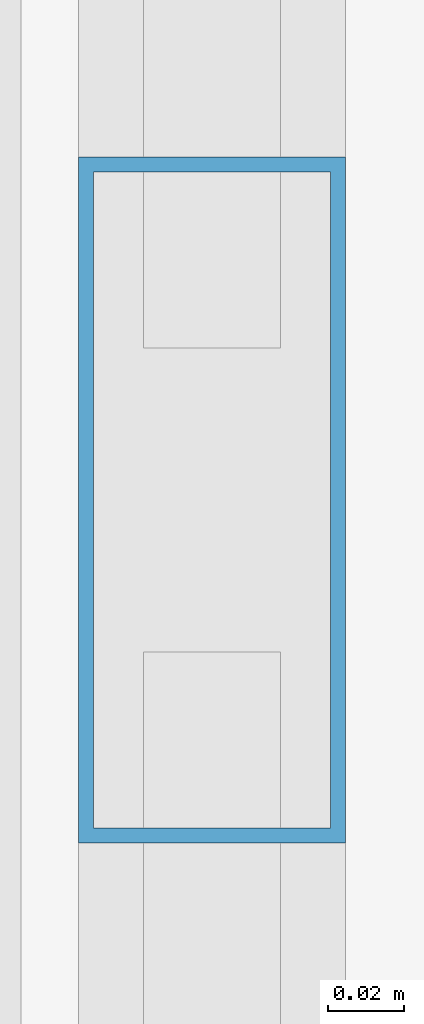
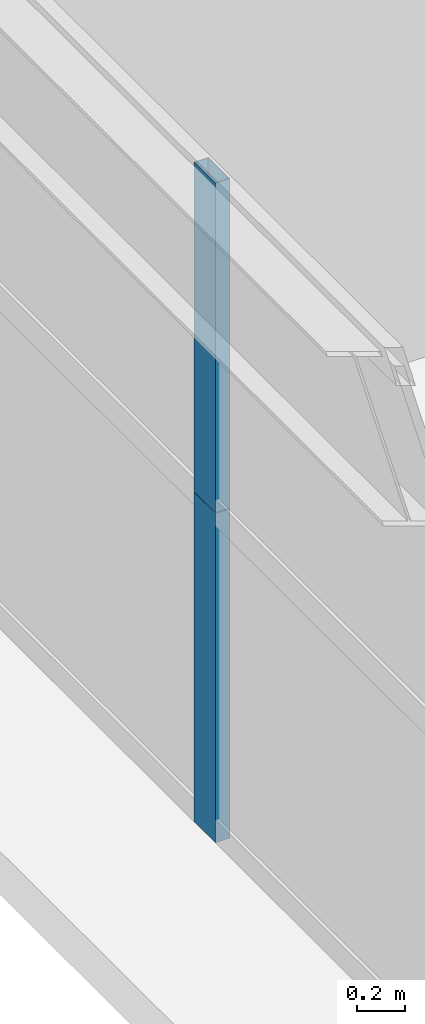
# One storey, part 11 of 43: 2 members, 1 element without a shape of its own.
"""IFC4 building model written with IfcOpenShell, lengths in metres."""

from ifc_helpers import new_model, si_unit, direction, frame, origin, origin_2d, place, context, subcontext, project, spatial, hollow_rectangle, extrude, source, transform, mapped, material, layer, layer_set, material_profile, profile_set, type_object, element, aggregate, save


model = new_model("IFC4")

# Units and contexts
model_context = context("Model", 3, precision=1e-05, world=origin(), true_north=direction((0.0, 1.0)))
body_context = subcontext(model_context, "Body", "Model", "MODEL_VIEW")
ifc_project = project(units=[si_unit("LENGTHUNIT", "METRE"), si_unit("AREAUNIT", "SQUARE_METRE"), si_unit("VOLUMEUNIT", "CUBIC_METRE"), si_unit("PLANEANGLEUNIT", "RADIAN"), si_unit("MASSUNIT", "GRAM", prefix="KILO"), si_unit("THERMODYNAMICTEMPERATUREUNIT", "KELVIN"), si_unit("POWERUNIT", "WATT")], contexts=[model_context])

# Site, building, storey
site_placement = place(None, origin())
site = spatial("IfcSite", under=ifc_project, at=site_placement, CompositionType="ELEMENT")
building_placement = place(site_placement, origin())
building = spatial("IfcBuilding", under=site, at=building_placement, Name="Yuzanri Waterfront Tower", CompositionType="ELEMENT")
storey_placement = place(building_placement, frame((0.0, 0.0, 64.0)))
storey = spatial("IfcBuildingStorey", under=building, at=storey_placement, Name="L16", CompositionType="ELEMENT", Elevation=64.0)

# Curtain wall, members
ifc_material_1 = material(Name="Anodized Architectural Bronze", Category="metal")
ifc_layer = layer(ifc_material_1, 0.159912109375)
ifc_layer_set = layer_set([ifc_layer], Name="Anodized Architectural Bronze")
curtain_wall_type = type_object("IfcCurtainWallType", Name="Anodized Bronze Hotel Lower-Tier Recessed Unitized Curtain Wall 8100", PredefinedType="NOTDEFINED", material=ifc_layer_set)
curtain_wall_placement = place(storey_placement, origin())
curtain_wall = element("IfcCurtainWall", 1, at=curtain_wall_placement, inside=storey, type_object=curtain_wall_type, Name="L16 Curtain Wall CW-L16-WL", PredefinedType="NOTDEFINED")
ifc_material_2 = material(Name="Anodized Architectural Bronze", Category="metal")
ifc_material_profile = material_profile(ifc_material_2, hollow_rectangle(XDim=0.070068359375, YDim=0.179931640625, WallThickness=0.00390625, at=origin_2d()), Name="CWM 70x180")
ifc_profile_set = profile_set([ifc_material_profile], Name="Anodized Architectural Bronze")
member_type = type_object("IfcMemberType", Name="Anodized Bronze Standard Curtain-Wall Mullion 70x180", PredefinedType="MULLION", material=ifc_profile_set)
shared_shape = source(origin(), body_context, "Body", "SweptSolid", [
    extrude(hollow_rectangle(XDim=0.070068359375, YDim=0.179931640625, WallThickness=0.00390625, at=origin_2d()), origin(), (0.0, 0.0, 1.0), 1.68798828125),
])
member_1_placement = place(storey_placement, frame((12.050048828125, 16.699951171875, 0.0), z_axis=(0.0, 0.0, 1.0), x_axis=(1.0, 0.0, 0.0)))
member_1 = element("IfcMember", 2, at=member_1_placement, type_object=member_type, Name="CW-L16-WL Lower Mullion 01", PredefinedType="MULLION", context=body_context, shape_type="MappedRepresentation", body=[
    mapped(shared_shape, transform((0.0, 0.0, 0.0), scale=1.0)),
])
member_2_placement = place(storey_placement, frame((12.050048828125, 16.699951171875, 1.69189453125), z_axis=(0.0, 0.0, 1.0), x_axis=(1.0, 0.0, 0.0)))
member_2 = element("IfcMember", 3, at=member_2_placement, type_object=member_type, Name="CW-L16-WL Upper Mullion 01", PredefinedType="MULLION", context=body_context, shape_type="MappedRepresentation", body=[
    mapped(shared_shape, transform((0.0, 0.0, 0.0), scale=1.0)),
])
aggregate(curtain_wall, [member_1, member_2])

save(model, "model.ifc")
